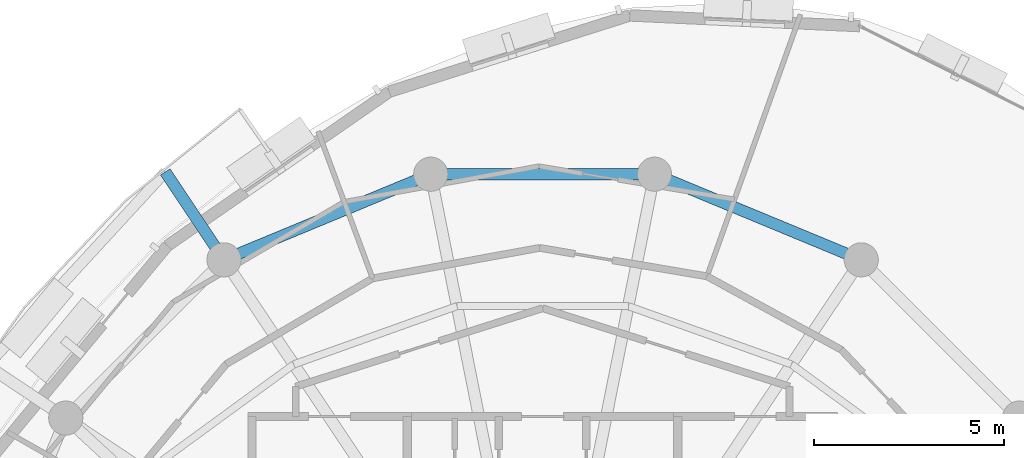
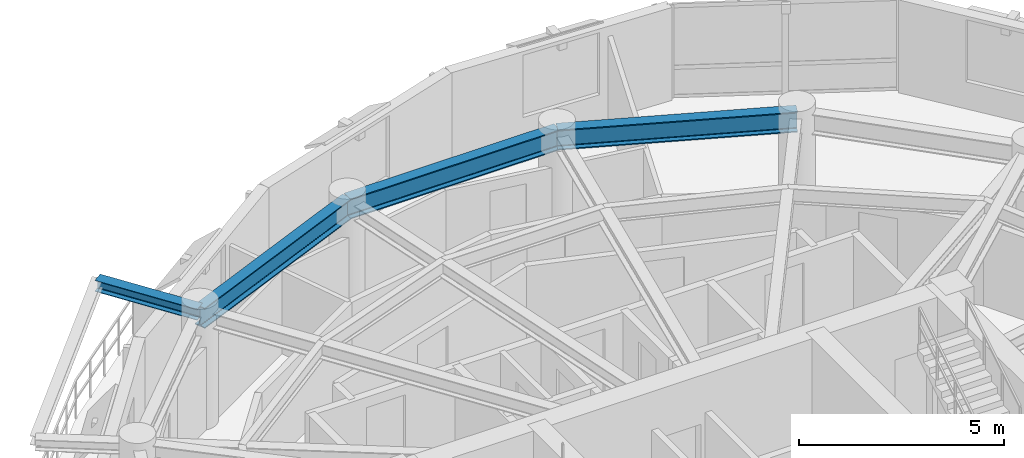
# One storey, part 4 of 11: 4 beams.
"""IFC4 building model written with IfcOpenShell, lengths in metres."""

from ifc_helpers import new_model, si_unit, direction, frame, origin, origin_2d, place, context, subcontext, project, spatial, i_section, extrude, material, material_profile, profile_set, type_object, element, save


model = new_model("IFC4")

# Units and contexts
model_context = context("Model", 3, precision=1e-05, world=origin(), true_north=direction((0.0, 1.0)))
body_context = subcontext(model_context, "Body", "Model", "MODEL_VIEW")
ifc_project = project(units=[si_unit("LENGTHUNIT", "METRE"), si_unit("AREAUNIT", "SQUARE_METRE"), si_unit("VOLUMEUNIT", "CUBIC_METRE"), si_unit("PLANEANGLEUNIT", "RADIAN"), si_unit("MASSUNIT", "GRAM", prefix="KILO"), si_unit("THERMODYNAMICTEMPERATUREUNIT", "KELVIN"), si_unit("POWERUNIT", "WATT")], contexts=[model_context])

# Site, building, storey
site_placement = place(None, origin())
site = spatial("IfcSite", under=ifc_project, at=site_placement, CompositionType="ELEMENT")
building_placement = place(site_placement, origin())
building = spatial("IfcBuilding", under=site, at=building_placement, Name="Ocrelia Relay Tower", CompositionType="ELEMENT")
storey_placement = place(building_placement, frame((0.0, 0.0, 241.199951171875)))
storey = spatial("IfcBuildingStorey", under=building, at=storey_placement, Name="L59", CompositionType="ELEMENT", Elevation=241.199951171875)

# Beams
ifc_material = material(Name="Steel S355", Category="steel")
ifc_material_profile_1 = material_profile(ifc_material, i_section(OverallWidth=0.300048828125, OverallDepth=0.330078125, WebThickness=0.009521484375, FlangeThickness=0.0166015625, FilletRadius=0.027099609375, at=origin_2d()), Name="HEA 340")
ifc_profile_set_1 = profile_set([ifc_material_profile_1], Name="Steel S355")
beam_type_1 = type_object("IfcBeamType", Name="BM-HEA340", PredefinedType="BEAM", material=ifc_profile_set_1)
beam_1_placement = place(storey_placement, frame((25.61083984375, 38.55517578125, 3.215087890625), z_axis=(-0.555530672833, 0.831496044213, 0.0), x_axis=(-0.831496044213, -0.555530672833, 0.0)))
element("IfcBeam", 1, at=beam_1_placement, inside=storey, type_object=beam_type_1, Name="L60 Balcony Cantilever Beam B1-1", PredefinedType="BEAM", context=body_context, shape_type="SweptSolid", body=[
    extrude(i_section(OverallWidth=0.300048828125, OverallDepth=0.330078125, WebThickness=0.009521484375, FlangeThickness=0.0166015625, FilletRadius=0.027099609375, at=origin_2d()), origin(), (0.0, 0.0, 1.0), 2.780517578125),
])
ifc_material_profile_2 = material_profile(ifc_material, i_section(OverallWidth=0.300048828125, OverallDepth=0.60009765625, WebThickness=0.015380859375, FlangeThickness=0.030029296875, FilletRadius=0.027099609375, at=origin_2d()), Name="HEB 600")
ifc_profile_set_2 = profile_set([ifc_material_profile_2], Name="Steel S355")
beam_type_2 = type_object("IfcBeamType", Name="BM-HEB600", PredefinedType="BEAM", material=ifc_profile_set_2)
beam_2_placement = place(storey_placement, frame((42.38916015625, 38.55517578125, 3.080078125), z_axis=(-0.923884009374, 0.382672624084, 0.0), x_axis=(-0.382672624084, -0.923884009374, 0.0)))
element("IfcBeam", 2, at=beam_2_placement, inside=storey, type_object=beam_type_2, Name="L59 Perimeter Spandrel Beam S03", PredefinedType="BEAM", context=body_context, shape_type="SweptSolid", body=[
    extrude(i_section(OverallWidth=0.300048828125, OverallDepth=0.60009765625, WebThickness=0.015380859375, FlangeThickness=0.030029296875, FilletRadius=0.027099609375, at=origin_2d()), origin(), (0.0, 0.0, 1.0), 5.891845703125),
])
beam_3_placement = place(storey_placement, frame((36.94580078125, 40.809814453125, 3.080078125), z_axis=(-1.0, 0.0, 0.0), x_axis=(0.0, -1.0, 0.0)))
element("IfcBeam", 3, at=beam_3_placement, inside=storey, type_object=beam_type_2, Name="L59 Perimeter Spandrel Beam S04", PredefinedType="BEAM", context=body_context, shape_type="SweptSolid", body=[
    extrude(i_section(OverallWidth=0.300048828125, OverallDepth=0.60009765625, WebThickness=0.015380859375, FlangeThickness=0.030029296875, FilletRadius=0.027099609375, at=origin_2d()), origin(), (0.0, 0.0, 1.0), 5.8916015625),
])
beam_4_placement = place(storey_placement, frame((31.05419921875, 40.809814453125, 3.080078125), z_axis=(-0.923884009374, -0.382672624084, 0.0), x_axis=(0.382672624084, -0.923884009374, 0.0)))
element("IfcBeam", 4, at=beam_4_placement, inside=storey, type_object=beam_type_2, Name="L59 Perimeter Spandrel Beam S05", PredefinedType="BEAM", context=body_context, shape_type="SweptSolid", body=[
    extrude(i_section(OverallWidth=0.300048828125, OverallDepth=0.60009765625, WebThickness=0.015380859375, FlangeThickness=0.030029296875, FilletRadius=0.027099609375, at=origin_2d()), origin(), (0.0, 0.0, 1.0), 5.891845703125),
])

save(model, "model.ifc")
